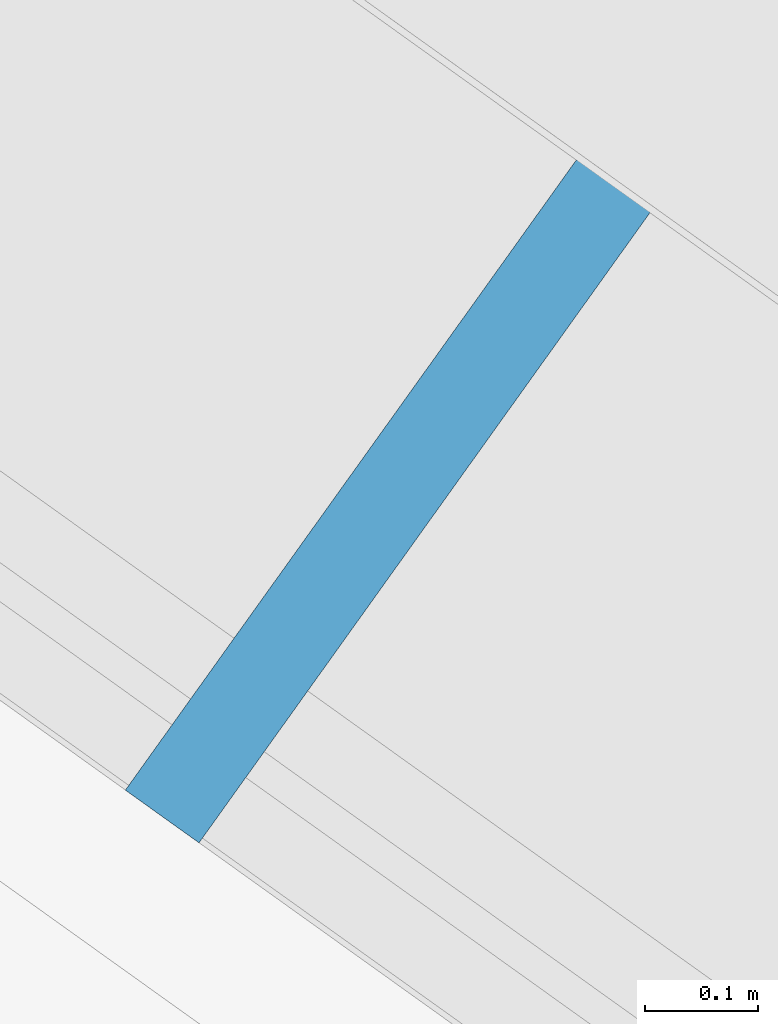
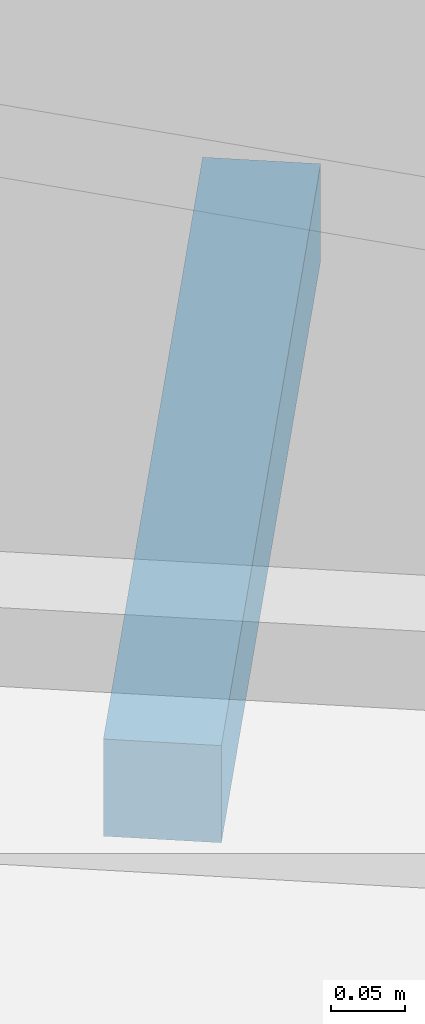
# One storey, part 14 of 17: 1 discrete accessory.
"""IFC4 building model written with IfcOpenShell, lengths in metres."""

from ifc_helpers import new_model, si_unit, direction, frame, origin, origin_2d, place, context, subcontext, project, spatial, rectangle, extrude, element, save


model = new_model("IFC4")

# Units and contexts
model_context = context("Model", 3, precision=1e-05, world=origin(), true_north=direction((0.0, 1.0)))
body_context = subcontext(model_context, "Body", "Model", "MODEL_VIEW")
ifc_project = project(units=[si_unit("LENGTHUNIT", "METRE"), si_unit("AREAUNIT", "SQUARE_METRE"), si_unit("VOLUMEUNIT", "CUBIC_METRE"), si_unit("PLANEANGLEUNIT", "RADIAN"), si_unit("MASSUNIT", "GRAM", prefix="KILO")], contexts=[model_context])

# Site, building, storey
site_placement = place(None, origin())
site = spatial("IfcSite", under=ifc_project, at=site_placement, CompositionType="ELEMENT")
building_placement = place(site_placement, origin())
building = spatial("IfcBuilding", under=site, at=building_placement, Name="Lantaw Convention Tower", CompositionType="ELEMENT")
storey_placement = place(building_placement, frame((0.0, 0.0, 151.0)))
storey = spatial("IfcBuildingStorey", under=building, at=storey_placement, Name="L35", CompositionType="ELEMENT", Elevation=151.0)

# Discrete accessory
discrete_accessory_placement = place(storey_placement, frame((22.044189453125, 14.10546875, -0.114990234375), z_axis=(0.0, 0.0, 1.0), x_axis=(-0.813208325995, 0.581972695693, 0.0)))
element("IfcDiscreteAccessory", 1, at=discrete_accessory_placement, inside=storey, Name="Screen bracket", PredefinedType="BRACKET", context=body_context, shape_type="SweptSolid", body=[
    extrude(rectangle(XDim=0.080078125, YDim=0.68798828125, at=origin_2d()), origin(), (0.0, 0.0, 1.0), 0.080078125),
])

save(model, "model.ifc")
